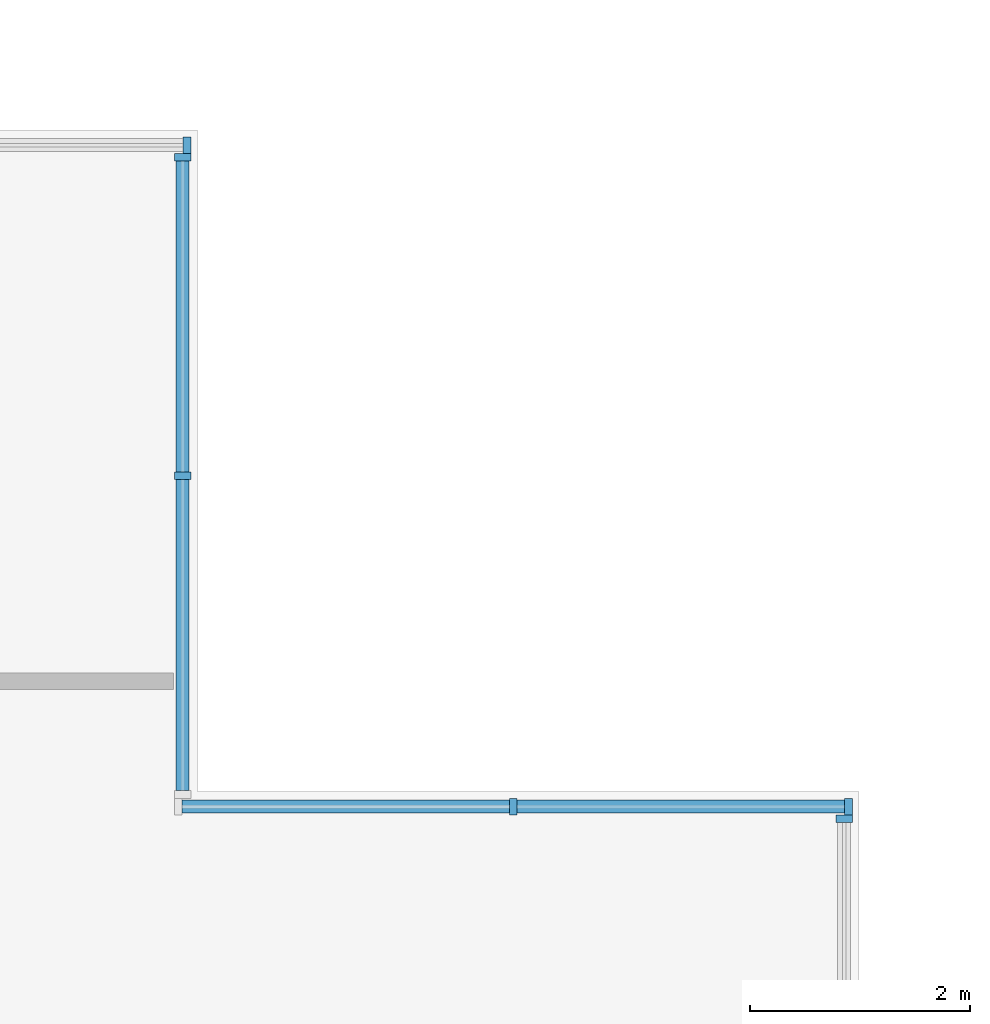
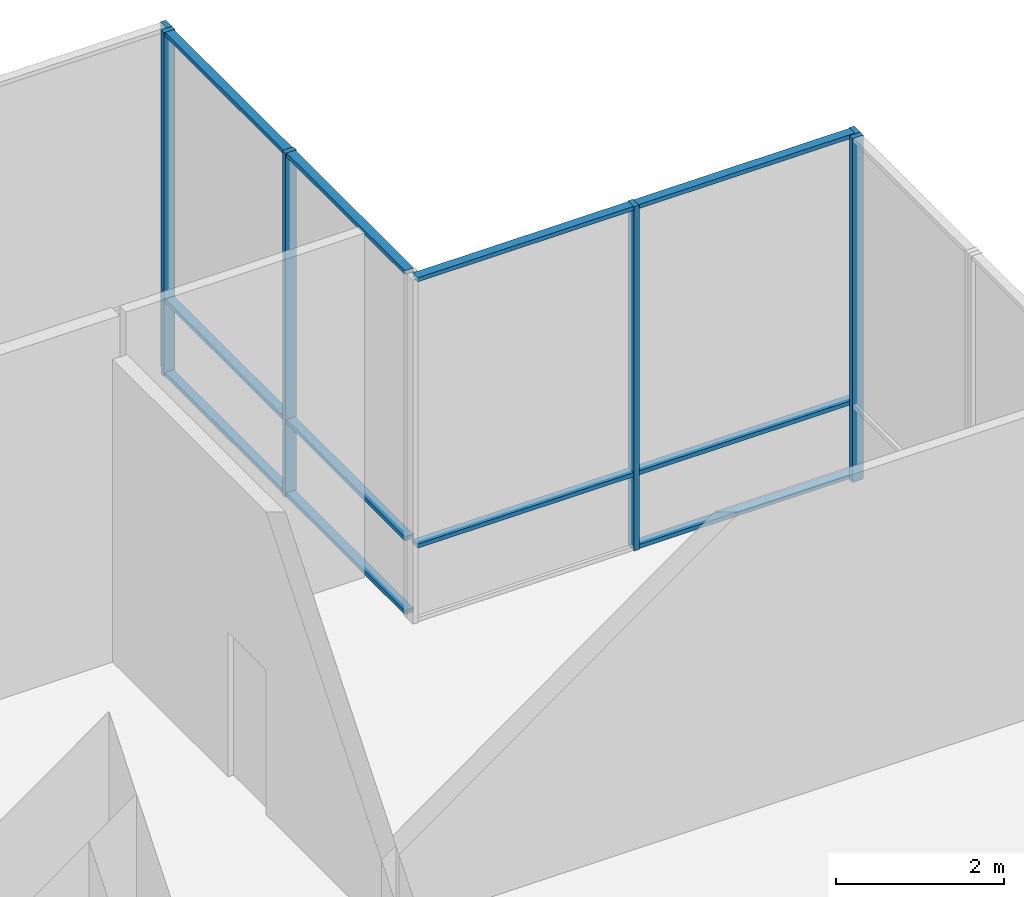
# One storey, part 11 of 20: 17 members, 4 elements without a shape of their own.
"""IFC4 building model written with IfcOpenShell, lengths in metres."""

from ifc_helpers import new_model, si_unit, direction, frame, origin, origin_2d, place, context, subcontext, project, spatial, rectangle, extrude, material, material_profile, profile_set, type_object, element, aggregate, save


model = new_model("IFC4")

# Units and contexts
model_context = context("Model", 3, precision=1e-05, world=origin(), true_north=direction((0.0, 1.0)))
body_context = subcontext(model_context, "Body", "Model", "MODEL_VIEW")
ifc_project = project(units=[si_unit("LENGTHUNIT", "METRE"), si_unit("AREAUNIT", "SQUARE_METRE"), si_unit("VOLUMEUNIT", "CUBIC_METRE"), si_unit("PLANEANGLEUNIT", "RADIAN"), si_unit("MASSUNIT", "GRAM", prefix="KILO")], contexts=[model_context])

# Site, building, storey
site_placement = place(None, origin())
site = spatial("IfcSite", under=ifc_project, at=site_placement, CompositionType="ELEMENT")
building_placement = place(site_placement, origin())
building = spatial("IfcBuilding", under=site, at=building_placement, Name="Kitamizu Gate Tower and Museum", CompositionType="ELEMENT")
storey_placement = place(building_placement, frame((0.0, 0.0, 148.35009765625)))
storey = spatial("IfcBuildingStorey", under=building, at=storey_placement, Name="L39", CompositionType="ELEMENT", Elevation=148.35009765625)

# Curtain wall, member
ifc_material_1 = material(Name="Bronze anodised aluminium frame, tinted triple glazing", Category="aluminium")
curtain_wall_type = type_object("IfcCurtainWallType", Name="CURTAIN WALL TYPE B SKY LOBBY", PredefinedType="NOTDEFINED", material=ifc_material_1)
curtain_wall_1_placement = place(storey_placement, origin())
curtain_wall_1 = element("IfcCurtainWall", 1, at=curtain_wall_1_placement, inside=storey, type_object=curtain_wall_type, Name="Curtain wall CW-B east L39 part 5", PredefinedType="NOTDEFINED")
ifc_material_2 = material(Name="Bronze anodised aluminium", Category="aluminium")
ifc_material_profile_1 = material_profile(ifc_material_2, rectangle(XDim=0.070068359375, YDim=0.14990234375, at=origin_2d()), Name="AL 70X150")
ifc_profile_set_1 = profile_set([ifc_material_profile_1], Name="Bronze anodised aluminium")
member_type_1 = type_object("IfcMemberType", Name="MULLION 70 X 150 TYPE B", PredefinedType="MULLION", material=ifc_profile_set_1)
member_1_placement = place(storey_placement, frame((71.364990234375, 41.2548828125, 0.0), z_axis=(0.0, 0.0, 1.0), x_axis=(0.0, 1.0, 0.0)))
member_1 = element("IfcMember", 2, at=member_1_placement, type_object=member_type_1, Name="CW-B mullion 2", PredefinedType="MULLION", context=body_context, shape_type="SweptSolid", body=[
    extrude(rectangle(XDim=0.070068359375, YDim=0.14990234375, at=origin_2d()), origin(), (0.0, 0.0, 1.0), 5.0),
])
aggregate(curtain_wall_1, [member_1])

# Curtain wall, members
curtain_wall_2_placement = place(storey_placement, origin())
curtain_wall_2 = element("IfcCurtainWall", 3, at=curtain_wall_2_placement, inside=storey, type_object=curtain_wall_type, Name="Curtain wall CW-B north L39", PredefinedType="NOTDEFINED")
member_2_placement = place(storey_placement, frame((68.364990234375, 41.364990234375, 0.0), z_axis=(0.0, 0.0, 1.0), x_axis=(1.0, 0.0, 0.0)))
member_2 = element("IfcMember", 4, at=member_2_placement, type_object=member_type_1, Name="CW-B mullion 2", PredefinedType="MULLION", context=body_context, shape_type="SweptSolid", body=[
    extrude(rectangle(XDim=0.070068359375, YDim=0.14990234375, at=origin_2d()), origin(), (0.0, 0.0, 1.0), 5.0),
])
member_3_placement = place(storey_placement, frame((71.405029296875, 41.364990234375, 0.0), z_axis=(0.0, 0.0, 1.0), x_axis=(1.0, 0.0, 0.0)))
member_3 = element("IfcMember", 5, at=member_3_placement, type_object=member_type_1, Name="CW-B mullion 3", PredefinedType="MULLION", context=body_context, shape_type="SweptSolid", body=[
    extrude(rectangle(XDim=0.070068359375, YDim=0.14990234375, at=origin_2d()), origin(), (0.0, 0.0, 1.0), 5.0),
])

curtain_wall_3_placement = place(storey_placement, origin())
curtain_wall_3 = element("IfcCurtainWall", 6, at=curtain_wall_3_placement, inside=storey, type_object=curtain_wall_type, Name="Curtain wall CW-B east L39", PredefinedType="NOTDEFINED")
member_4_placement = place(storey_placement, frame((65.364990234375, 44.364990234375, 0.0), z_axis=(0.0, 0.0, 1.0), x_axis=(0.0, 1.0, 0.0)))
member_4 = element("IfcMember", 7, at=member_4_placement, type_object=member_type_1, Name="CW-B mullion 2", PredefinedType="MULLION", context=body_context, shape_type="SweptSolid", body=[
    extrude(rectangle(XDim=0.070068359375, YDim=0.14990234375, at=origin_2d()), origin(), (0.0, 0.0, 1.0), 5.0),
])
member_5_placement = place(storey_placement, frame((65.364990234375, 47.2548828125, 0.0), z_axis=(0.0, 0.0, 1.0), x_axis=(0.0, 1.0, 0.0)))
member_5 = element("IfcMember", 8, at=member_5_placement, type_object=member_type_1, Name="CW-B mullion 3", PredefinedType="MULLION", context=body_context, shape_type="SweptSolid", body=[
    extrude(rectangle(XDim=0.070068359375, YDim=0.14990234375, at=origin_2d()), origin(), (0.0, 0.0, 1.0), 5.0),
])

# Curtain wall, member
curtain_wall_4_placement = place(storey_placement, origin())
curtain_wall_4 = element("IfcCurtainWall", 9, at=curtain_wall_4_placement, inside=storey, type_object=curtain_wall_type, Name="Curtain wall CW-B north L39 part 11", PredefinedType="NOTDEFINED")
member_6_placement = place(storey_placement, frame((65.405029296875, 47.364990234375, 0.0), z_axis=(0.0, 0.0, 1.0), x_axis=(1.0, 0.0, 0.0)))
member_6 = element("IfcMember", 10, at=member_6_placement, type_object=member_type_1, Name="CW-B mullion 2", PredefinedType="MULLION", context=body_context, shape_type="SweptSolid", body=[
    extrude(rectangle(XDim=0.070068359375, YDim=0.14990234375, at=origin_2d()), origin(), (0.0, 0.0, 1.0), 5.0),
])
aggregate(curtain_wall_4, [member_6])

# Member
ifc_material_3 = material(Name="Bronze anodised aluminium", Category="aluminium")
ifc_material_profile_2 = material_profile(ifc_material_3, rectangle(XDim=0.1201171875, YDim=0.06005859375, at=origin_2d()), Name="AL 60X120")
ifc_profile_set_2 = profile_set([ifc_material_profile_2], Name="Bronze anodised aluminium")
member_type_2 = type_object("IfcMemberType", Name="TRANSOM 60 X 120 TYPE B", PredefinedType="USERDEFINED", material=ifc_profile_set_2)
member_7_placement = place(storey_placement, frame((65.360107421875, 41.364990234375, 1.099853515625), z_axis=(1.0, 0.0, 0.0), x_axis=(0.0, 1.0, 0.0)))
member_7 = element("IfcMember", 11, at=member_7_placement, type_object=member_type_2, Name="CW-B transom 1.2", ObjectType="TRANSOM", PredefinedType="USERDEFINED", context=body_context, shape_type="SweptSolid", body=[
    extrude(rectangle(XDim=0.1201171875, YDim=0.06005859375, at=origin_2d()), origin(), (0.0, 0.0, 1.0), 2.969970703125),
])

member_8_placement = place(storey_placement, frame((65.360107421875, 41.364990234375, 4.969970703125), z_axis=(1.0, 0.0, 0.0), x_axis=(0.0, 1.0, 0.0)))
member_8 = element("IfcMember", 12, at=member_8_placement, type_object=member_type_2, Name="CW-B transom 1.3", ObjectType="TRANSOM", PredefinedType="USERDEFINED", context=body_context, shape_type="SweptSolid", body=[
    extrude(rectangle(XDim=0.1201171875, YDim=0.06005859375, at=origin_2d()), origin(), (0.0, 0.0, 1.0), 2.969970703125),
])

member_9_placement = place(storey_placement, frame((68.39990234375, 41.364990234375, 0.02978515625), z_axis=(1.0, 0.0, 0.0), x_axis=(0.0, 1.0, 0.0)))
member_9 = element("IfcMember", 13, at=member_9_placement, type_object=member_type_2, Name="CW-B transom 2.1", ObjectType="TRANSOM", PredefinedType="USERDEFINED", context=body_context, shape_type="SweptSolid", body=[
    extrude(rectangle(XDim=0.1201171875, YDim=0.06005859375, at=origin_2d()), origin(), (0.0, 0.0, 1.0), 2.97021484375),
])

member_10_placement = place(storey_placement, frame((68.39990234375, 41.364990234375, 1.099853515625), z_axis=(1.0, 0.0, 0.0), x_axis=(0.0, 1.0, 0.0)))
member_10 = element("IfcMember", 14, at=member_10_placement, type_object=member_type_2, Name="CW-B transom 2.2", ObjectType="TRANSOM", PredefinedType="USERDEFINED", context=body_context, shape_type="SweptSolid", body=[
    extrude(rectangle(XDim=0.1201171875, YDim=0.06005859375, at=origin_2d()), origin(), (0.0, 0.0, 1.0), 2.97021484375),
])

member_11_placement = place(storey_placement, frame((68.39990234375, 41.364990234375, 4.969970703125), z_axis=(1.0, 0.0, 0.0), x_axis=(0.0, 1.0, 0.0)))
member_11 = element("IfcMember", 15, at=member_11_placement, type_object=member_type_2, Name="CW-B transom 2.3", ObjectType="TRANSOM", PredefinedType="USERDEFINED", context=body_context, shape_type="SweptSolid", body=[
    extrude(rectangle(XDim=0.1201171875, YDim=0.06005859375, at=origin_2d()), origin(), (0.0, 0.0, 1.0), 2.97021484375),
])

aggregate(curtain_wall_2, [member_2, member_3, member_7, member_8, member_9, member_10, member_11])

member_12_placement = place(storey_placement, frame((65.364990234375, 41.510009765625, 0.02978515625), z_axis=(0.0, 1.0, 0.0), x_axis=(-1.0, 0.0, 0.0)))
member_12 = element("IfcMember", 16, at=member_12_placement, type_object=member_type_2, Name="CW-B transom 1.1", ObjectType="TRANSOM", PredefinedType="USERDEFINED", context=body_context, shape_type="SweptSolid", body=[
    extrude(rectangle(XDim=0.1201171875, YDim=0.06005859375, at=origin_2d()), origin(), (0.0, 0.0, 1.0), 2.820068359375),
])

member_13_placement = place(storey_placement, frame((65.364990234375, 41.510009765625, 1.099853515625), z_axis=(0.0, 1.0, 0.0), x_axis=(-1.0, 0.0, 0.0)))
member_13 = element("IfcMember", 17, at=member_13_placement, type_object=member_type_2, Name="CW-B transom 1.2", ObjectType="TRANSOM", PredefinedType="USERDEFINED", context=body_context, shape_type="SweptSolid", body=[
    extrude(rectangle(XDim=0.1201171875, YDim=0.06005859375, at=origin_2d()), origin(), (0.0, 0.0, 1.0), 2.820068359375),
])

member_14_placement = place(storey_placement, frame((65.364990234375, 41.510009765625, 4.969970703125), z_axis=(0.0, 1.0, 0.0), x_axis=(-1.0, 0.0, 0.0)))
member_14 = element("IfcMember", 18, at=member_14_placement, type_object=member_type_2, Name="CW-B transom 1.3", ObjectType="TRANSOM", PredefinedType="USERDEFINED", context=body_context, shape_type="SweptSolid", body=[
    extrude(rectangle(XDim=0.1201171875, YDim=0.06005859375, at=origin_2d()), origin(), (0.0, 0.0, 1.0), 2.820068359375),
])

member_15_placement = place(storey_placement, frame((65.364990234375, 44.39990234375, 0.02978515625), z_axis=(0.0, 1.0, 0.0), x_axis=(-1.0, 0.0, 0.0)))
member_15 = element("IfcMember", 19, at=member_15_placement, type_object=member_type_2, Name="CW-B transom 2.1", ObjectType="TRANSOM", PredefinedType="USERDEFINED", context=body_context, shape_type="SweptSolid", body=[
    extrude(rectangle(XDim=0.1201171875, YDim=0.06005859375, at=origin_2d()), origin(), (0.0, 0.0, 1.0), 2.820068359375),
])

member_16_placement = place(storey_placement, frame((65.364990234375, 44.39990234375, 1.099853515625), z_axis=(0.0, 1.0, 0.0), x_axis=(-1.0, 0.0, 0.0)))
member_16 = element("IfcMember", 20, at=member_16_placement, type_object=member_type_2, Name="CW-B transom 2.2", ObjectType="TRANSOM", PredefinedType="USERDEFINED", context=body_context, shape_type="SweptSolid", body=[
    extrude(rectangle(XDim=0.1201171875, YDim=0.06005859375, at=origin_2d()), origin(), (0.0, 0.0, 1.0), 2.820068359375),
])

member_17_placement = place(storey_placement, frame((65.364990234375, 44.39990234375, 4.969970703125), z_axis=(0.0, 1.0, 0.0), x_axis=(-1.0, 0.0, 0.0)))
member_17 = element("IfcMember", 21, at=member_17_placement, type_object=member_type_2, Name="CW-B transom 2.3", ObjectType="TRANSOM", PredefinedType="USERDEFINED", context=body_context, shape_type="SweptSolid", body=[
    extrude(rectangle(XDim=0.1201171875, YDim=0.06005859375, at=origin_2d()), origin(), (0.0, 0.0, 1.0), 2.820068359375),
])

aggregate(curtain_wall_3, [member_4, member_5, member_12, member_13, member_14, member_15, member_16, member_17])

save(model, "model.ifc")
